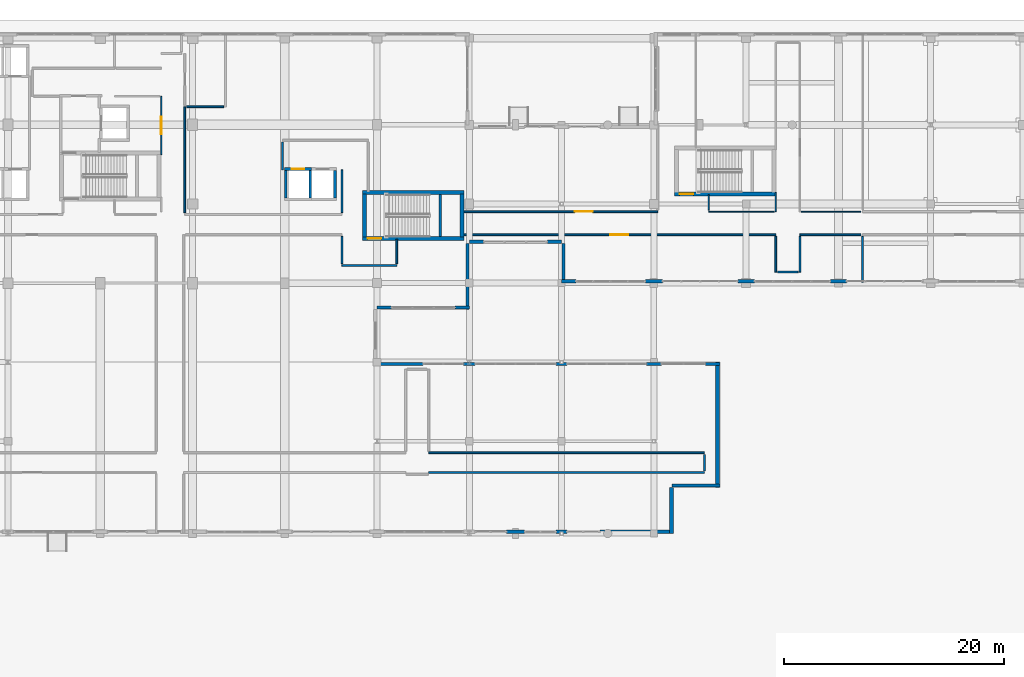
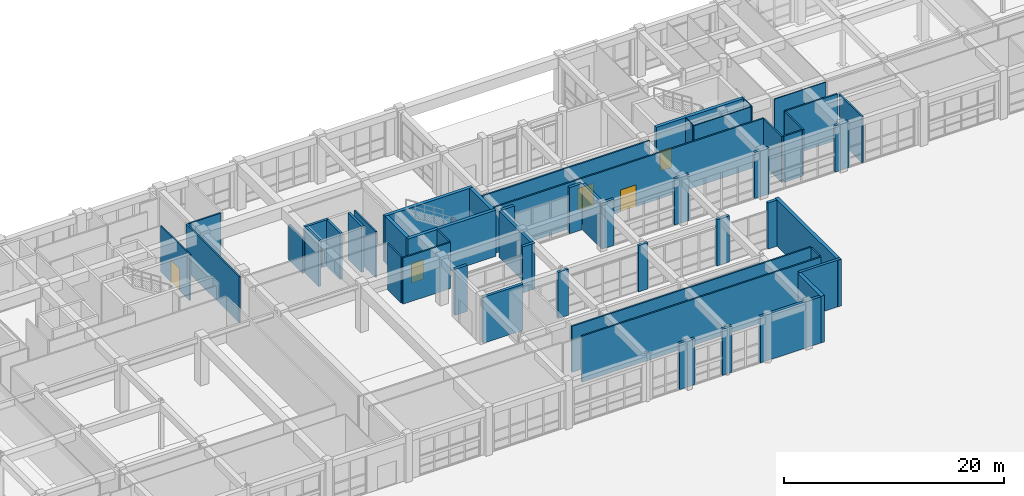
# One storey, part 133 of 148: 53 walls, 6 doors, 6 openings.
"""IFC4 building model written with IfcOpenShell, lengths in metres."""

from ifc_helpers import new_model, si_unit, direction, frame, frame_2d, origin, place, context, subcontext, project, spatial, rectangle, extrude, material, layer, layer_set, type_object, element, fill, save


model = new_model("IFC4")

# Units and contexts
model_context = context("Model", 3, precision=1e-05, world=origin(), true_north=direction((0.0, 1.0)))
body_context = subcontext(model_context, "Body", "Model", "MODEL_VIEW")
ifc_project = project(units=[si_unit("LENGTHUNIT", "METRE"), si_unit("AREAUNIT", "SQUARE_METRE"), si_unit("VOLUMEUNIT", "CUBIC_METRE"), si_unit("PLANEANGLEUNIT", "RADIAN"), si_unit("MASSUNIT", "GRAM", prefix="KILO")], contexts=[model_context])

# Site, building, storey
site_placement = place(None, origin())
site = spatial("IfcSite", under=ifc_project, at=site_placement, CompositionType="ELEMENT")
building_placement = place(site_placement, origin())
building = spatial("IfcBuilding", under=site, at=building_placement, Name="Quendrovan Civic Courthouse", CompositionType="ELEMENT")
storey_placement = place(building_placement, origin())
storey = spatial("IfcBuildingStorey", under=building, at=storey_placement, Name="L01", CompositionType="ELEMENT", Elevation=0.0)

# Wall, opening, door
ifc_material_1 = material(Name="Fire-rated gypsum stud partition")
ifc_layer_1 = layer(ifc_material_1, 0.159912109375, Name="Fire-rated gypsum stud partition")
ifc_layer_set_1 = layer_set([ifc_layer_1], Name="Fire-rated gypsum stud partition")
wall_type_1 = type_object("IfcWallType", Name="WL-COR-160", PredefinedType="PARTITIONING", material=ifc_layer_set_1)
wall_1_placement = place(storey_placement, frame((91.820068359375, 92.0, 0.0), z_axis=(0.0, 0.0, 1.0), x_axis=(1.0, 0.0, 0.0)))
wall_1 = element("IfcWall", 1, at=wall_1_placement, inside=storey, type_object=wall_type_1, Name="L01 Security Screening Partition 0157", PredefinedType="PARTITIONING", context=body_context, shape_type="SweptSolid", body=[
    extrude(rectangle(XDim=28.47998046875, YDim=0.159912109375, at=frame_2d((14.239990234375, 0.0))), origin(), (0.0, 0.0, 1.0), 5.1201171875),
])
opening_1_placement = place(wall_1_placement, frame((13.419921875, 0.0, 0.0)))
opening_1 = element("IfcOpeningElement", 2, at=opening_1_placement, cuts=wall_1, Name="Opening D-L01-034", PredefinedType="OPENING", context=body_context, shape_type="SweptSolid", body=[
    extrude(rectangle(XDim=1.639892578125, YDim=2.419921875, at=frame_2d((0.81982421875, 1.2099609375))), frame((0.0, 0.08984375, 0.0), z_axis=(0.0, -1.0, 0.0), x_axis=(1.0, 0.0, 0.0)), (0.0, 0.0, 1.0), 0.179931640625),
])
ifc_material_2 = material(Name="Bronze-anodised aluminium glazed door", Category="aluminium")
door_type_1 = type_object("IfcDoorType", Name="DR-REG-1640", OperationType="NOTDEFINED", PredefinedType="DOOR", material=ifc_material_2)
door_1_placement = place(opening_1_placement, origin())
door_1 = element("IfcDoor", 3, at=door_1_placement, inside=storey, type_object=door_type_1, Name="L01 Security Screening Door D-L01-034", OperationType="SINGLE_SWING_LEFT", OverallHeight=2.419921875, OverallWidth=1.639892578125, PredefinedType="DOOR", context=body_context, shape_type="SweptSolid", body=[
    extrude(rectangle(XDim=1.639892578125, YDim=2.419921875, at=frame_2d((0.81982421875, 1.2099609375))), frame((0.0, 0.02490234375, 0.0), z_axis=(0.0, -1.0, 0.0), x_axis=(1.0, 0.0, 0.0)), (0.0, 0.0, 1.0), 0.050048828125),
])
fill(opening_1, door_1)

# Walls
for number, where, z_axis, x_axis, name in (
    (4, (88.699951171875, 70.35009765625, 0.0), (0.0, 0.0, 1.0), (1.0, 0.0, 0.0), "L01 Security Screening Partition 0159"),
    (5, (113.800048828125, 72.14990234375, 0.0), (0.0, 0.0, 1.0), (-1.0, 0.0, 0.0), "L01 Security Screening Partition 0160"),
):
    element("IfcWall", number, at=place(storey_placement, frame(where, z_axis=z_axis, x_axis=x_axis)), inside=storey, type_object=wall_type_1, Name=name, PredefinedType="PARTITIONING", context=body_context, shape_type="SweptSolid", body=[
        extrude(rectangle(XDim=25.10009765625, YDim=0.159912109375, at=frame_2d((12.550048828125, 0.0))), origin(), (0.0, 0.0, 1.0), 5.1201171875),
    ])

# Wall, opening, door
wall_2_placement = place(storey_placement, frame((109.550048828125, 94.10009765625, 0.0), z_axis=(0.0, 0.0, 1.0), x_axis=(-1.0, 0.0, 0.0)))
wall_2 = element("IfcWall", 6, at=wall_2_placement, inside=storey, type_object=wall_type_1, Name="L01 Civil Case Registry Partition 0174", PredefinedType="PARTITIONING", context=body_context, shape_type="SweptSolid", body=[
    extrude(rectangle(XDim=17.72998046875, YDim=0.159912109375, at=frame_2d((8.864990234375, 0.0))), origin(), (0.0, 0.0, 1.0), 5.1201171875),
])
opening_2_placement = place(wall_2_placement, frame((5.91748046875, 0.0, 0.0)))
opening_2 = element("IfcOpeningElement", 7, at=opening_2_placement, cuts=wall_2, Name="Opening D-L01-039", PredefinedType="OPENING", context=body_context, shape_type="SweptSolid", body=[
    extrude(rectangle(XDim=1.639892578125, YDim=2.419921875, at=frame_2d((0.81982421875, 1.2099609375))), frame((0.0, 0.08984375, 0.0), z_axis=(0.0, -1.0, 0.0), x_axis=(1.0, 0.0, 0.0)), (0.0, 0.0, 1.0), 0.179931640625),
])
door_2_placement = place(opening_2_placement, origin())
door_2 = element("IfcDoor", 8, at=door_2_placement, inside=storey, type_object=door_type_1, Name="L01 Civil Case Registry Door D-L01-039", OperationType="SINGLE_SWING_RIGHT", OverallHeight=2.419921875, OverallWidth=1.639892578125, PredefinedType="DOOR", context=body_context, shape_type="SweptSolid", body=[
    extrude(rectangle(XDim=1.639892578125, YDim=2.419921875, at=frame_2d((0.81982421875, 1.2099609375))), frame((0.0, 0.02490234375, 0.0), z_axis=(0.0, -1.0, 0.0), x_axis=(1.0, 0.0, 0.0)), (0.0, 0.0, 1.0), 0.050048828125),
])
fill(opening_2, door_2)

# Walls
wall_3_placement = place(storey_placement, frame((66.5, 94.010009765625, 0.0), z_axis=(0.0, 0.0, 1.0), x_axis=(0.0, 1.0, 0.0)))
element("IfcWall", 9, at=wall_3_placement, inside=storey, type_object=wall_type_1, Name="L01 Civil Case Registry Partition 0195", PredefinedType="PARTITIONING", context=body_context, shape_type="SweptSolid", body=[
    extrude(rectangle(XDim=9.639892578125, YDim=0.159912109375, at=frame_2d((4.81982421875, 0.0))), origin(), (0.0, 0.0, 1.0), 5.1201171875),
])
wall_4_placement = place(storey_placement, frame((122.5, 92.0, 0.0), z_axis=(0.0, 0.0, 1.0), x_axis=(1.0, 0.0, 0.0)))
element("IfcWall", 10, at=wall_4_placement, inside=storey, type_object=wall_type_1, Name="L01 Security Screening Partition 0215", PredefinedType="PARTITIONING", context=body_context, shape_type="SweptSolid", body=[
    extrude(rectangle(XDim=5.544921875, YDim=0.159912109375, at=frame_2d((2.7724609375, 0.0))), origin(), (0.0, 0.0, 1.0), 5.1201171875),
])
wall_5_placement = place(storey_placement, frame((80.800048828125, 89.199951171875, 0.0), z_axis=(0.0, 0.0, 1.0), x_axis=(1.0, 0.0, 0.0)))
element("IfcWall", 11, at=wall_5_placement, inside=storey, type_object=wall_type_1, Name="L01 Security Screening Partition 0226", PredefinedType="PARTITIONING", context=body_context, shape_type="SweptSolid", body=[
    extrude(rectangle(XDim=5.0, YDim=0.159912109375, at=frame_2d((2.5, 0.0))), origin(), (0.0, 0.0, 1.0), 5.1201171875),
])
wall_6_placement = place(storey_placement, frame((128.199951171875, 91.844970703125, 0.0), z_axis=(0.0, 0.0, 1.0), x_axis=(0.0, -1.0, 0.0)))
element("IfcWall", 12, at=wall_6_placement, inside=storey, type_object=wall_type_1, Name="L01 Security Screening Partition 0234", PredefinedType="PARTITIONING", context=body_context, shape_type="SweptSolid", body=[
    extrude(rectangle(XDim=4.18505859375, YDim=0.159912109375, at=frame_2d((2.092529296875, 0.0))), origin(), (0.0, 0.0, 1.0), 5.1201171875),
])
wall_7_placement = place(storey_placement, frame((80.800048828125, 97.89990234375, 0.0), z_axis=(0.0, 0.0, 1.0), x_axis=(0.0, -1.0, 0.0)))
element("IfcWall", 13, at=wall_7_placement, inside=storey, type_object=wall_type_1, Name="L01 Civil Case Registry Partition 0240", PredefinedType="PARTITIONING", context=body_context, shape_type="SweptSolid", body=[
    extrude(rectangle(XDim=3.889892578125, YDim=0.159912109375, at=frame_2d((1.94482421875, 0.0))), origin(), (0.0, 0.0, 1.0), 5.1201171875),
])
wall_8_placement = place(storey_placement, frame((70.0400390625, 103.64990234375, 0.0), z_axis=(0.0, 0.0, 1.0), x_axis=(-1.0, 0.0, 0.0)))
element("IfcWall", 14, at=wall_8_placement, inside=storey, type_object=wall_type_1, Name="L01 Fire Command Centre Partition 0242", PredefinedType="PARTITIONING", context=body_context, shape_type="SweptSolid", body=[
    extrude(rectangle(XDim=3.380126953125, YDim=0.159912109375, at=frame_2d((1.68994140625, 0.0))), origin(), (0.0, 0.0, 1.0), 5.1201171875),
])
for number, where, z_axis, x_axis, name in (
    (15, (120.300048828125, 91.840087890625, 0.0), (0.0, 0.0, 1.0), (0.0, -1.0, 0.0), "L01 Security Screening Partition 0246"),
    (16, (122.5, 88.60009765625, 0.0), (0.0, 0.0, 1.0), (0.0, 1.0, 0.0), "L01 Security Screening Partition 0247"),
):
    element("IfcWall", number, at=place(storey_placement, frame(where, z_axis=z_axis, x_axis=x_axis)), inside=storey, type_object=wall_type_1, Name=name, PredefinedType="PARTITIONING", context=body_context, shape_type="SweptSolid", body=[
        extrude(rectangle(XDim=3.239990234375, YDim=0.159912109375, at=frame_2d((1.6201171875, 0.0))), origin(), (0.0, 0.0, 1.0), 5.1201171875),
    ])
wall_9_placement = place(storey_placement, frame((80.800048828125, 91.840087890625, 0.0), z_axis=(0.0, 0.0, 1.0), x_axis=(0.0, -1.0, 0.0)))
element("IfcWall", 17, at=wall_9_placement, inside=storey, type_object=wall_type_1, Name="L01 Security Screening Partition 0260", PredefinedType="PARTITIONING", context=body_context, shape_type="SweptSolid", body=[
    extrude(rectangle(XDim=2.47998046875, YDim=0.159912109375, at=frame_2d((1.239990234375, 0.0))), origin(), (0.0, 0.0, 1.0), 5.1201171875),
])
wall_10_placement = place(storey_placement, frame((75.39990234375, 100.43994140625, 0.0), z_axis=(0.0, 0.0, 1.0), x_axis=(0.0, -1.0, 0.0)))
element("IfcWall", 18, at=wall_10_placement, inside=storey, type_object=wall_type_1, Name="L01 Civil Case Registry Partition 0263", PredefinedType="PARTITIONING", context=body_context, shape_type="SweptSolid", body=[
    extrude(rectangle(XDim=2.5400390625, YDim=0.159912109375, at=frame_2d((1.27001953125, 0.0))), origin(), (0.0, 0.0, 1.0), 3.909912109375),
])
wall_11_placement = place(storey_placement, frame((85.800048828125, 89.360107421875, 0.0), z_axis=(0.0, 0.0, 1.0), x_axis=(0.0, 1.0, 0.0)))
element("IfcWall", 19, at=wall_11_placement, inside=storey, type_object=wall_type_1, Name="L01 Security Screening Partition 0267", PredefinedType="PARTITIONING", context=body_context, shape_type="SweptSolid", body=[
    extrude(rectangle(XDim=2.219970703125, YDim=0.159912109375, at=frame_2d((1.10986328125, 0.0))), origin(), (0.0, 0.0, 1.0), 5.1201171875),
])
wall_12_placement = place(storey_placement, frame((120.4599609375, 88.60009765625, 0.0), z_axis=(0.0, 0.0, 1.0), x_axis=(1.0, 0.0, 0.0)))
element("IfcWall", 20, at=wall_12_placement, inside=storey, type_object=wall_type_1, Name="L01 Security Screening Partition 0268", PredefinedType="PARTITIONING", context=body_context, shape_type="SweptSolid", body=[
    extrude(rectangle(XDim=1.880126953125, YDim=0.159912109375, at=frame_2d((0.93994140625, 0.0))), origin(), (0.0, 0.0, 1.0), 5.1201171875),
])
wall_13_placement = place(storey_placement, frame((113.800048828125, 70.510009765625, 0.0), z_axis=(0.0, 0.0, 1.0), x_axis=(0.0, 1.0, 0.0)))
element("IfcWall", 21, at=wall_13_placement, inside=storey, type_object=wall_type_1, Name="L01 Security Screening Partition 0279", PredefinedType="PARTITIONING", context=body_context, shape_type="SweptSolid", body=[
    extrude(rectangle(XDim=1.47998046875, YDim=0.159912109375, at=frame_2d((0.739990234375, 0.0))), origin(), (0.0, 0.0, 1.0), 5.1201171875),
])

# Wall, opening, door
ifc_material_3 = material(Name="Concrete C45/55", Category="concrete")
ifc_layer_2 = layer(ifc_material_3, 0.35009765625, Name="Concrete C45/55")
ifc_layer_set_2 = layer_set([ifc_layer_2], Name="Concrete C45/55")
wall_type_2 = type_object("IfcWallType", Name="WL-CORE-350", PredefinedType="SHEAR", material=ifc_layer_set_2)
wall_14_placement = place(storey_placement, frame((82.68994140625, 91.6650390625, 0.0), z_axis=(0.0, 0.0, 1.0), x_axis=(1.0, 0.0, 0.0)))
wall_14 = element("IfcWall", 22, at=wall_14_placement, inside=storey, type_object=wall_type_2, Name="L01 Core Shear Wall ST3-S", PredefinedType="SHEAR", context=body_context, shape_type="SweptSolid", body=[
    extrude(rectangle(XDim=9.219970703125, YDim=0.35009765625, at=frame_2d((4.60986328125, 0.0))), origin(), (0.0, 0.0, 1.0), 5.1201171875),
])
opening_3_placement = place(wall_14_placement, frame((0.449951171875, 0.0, 0.0)))
opening_3 = element("IfcOpeningElement", 23, at=opening_3_placement, cuts=wall_14, Name="Opening DS-ST3-L01", PredefinedType="OPENING", context=body_context, shape_type="SweptSolid", body=[
    extrude(rectangle(XDim=1.25, YDim=2.199951171875, at=frame_2d((0.625, 1.10009765625))), frame((0.0, 0.18505859375, 0.0), z_axis=(0.0, -1.0, 0.0), x_axis=(1.0, 0.0, 0.0)), (0.0, 0.0, 1.0), 0.3701171875),
])
ifc_material_4 = material(Name="Painted galvanized hollow-metal steel", Category="steel")
door_type_2 = type_object("IfcDoorType", Name="DR-STAIR-1250", OperationType="NOTDEFINED", PredefinedType="DOOR", material=ifc_material_4)
door_3_placement = place(opening_3_placement, origin())
door_3 = element("IfcDoor", 24, at=door_3_placement, inside=storey, type_object=door_type_2, Name="L01 Exit Stair ST3 Fire Door", OperationType="SINGLE_SWING_LEFT", OverallHeight=2.199951171875, OverallWidth=1.25, PredefinedType="DOOR", context=body_context, shape_type="SweptSolid", body=[
    extrude(rectangle(XDim=1.25, YDim=2.199951171875, at=frame_2d((0.625, 1.10009765625))), frame((0.0, 0.02490234375, 0.0), z_axis=(0.0, -1.0, 0.0), x_axis=(1.0, 0.0, 0.0)), (0.0, 0.0, 1.0), 0.050048828125),
])
fill(opening_3, door_3)

# Walls
wall_15_placement = place(storey_placement, frame((91.909912109375, 95.8349609375, 0.0), z_axis=(0.0, 0.0, 1.0), x_axis=(-1.0, 0.0, 0.0)))
element("IfcWall", 25, at=wall_15_placement, inside=storey, type_object=wall_type_2, Name="L01 Core Shear Wall ST3-N", PredefinedType="SHEAR", context=body_context, shape_type="SweptSolid", body=[
    extrude(rectangle(XDim=9.219970703125, YDim=0.35009765625, at=frame_2d((4.60986328125, 0.0))), origin(), (0.0, 0.0, 1.0), 5.1201171875),
])
for number, where, z_axis, x_axis, name in (
    (26, (82.864990234375, 91.800048828125, 0.0), (0.0, 0.0, 1.0), (0.0, 1.0, 0.0), "L01 Core Shear Wall ST3-W"),
    (27, (91.735107421875, 95.699951171875, 0.0), (0.0, 0.0, 1.0), (0.0, -1.0, 0.0), "L01 Core Shear Wall ST3-E"),
):
    element("IfcWall", number, at=place(storey_placement, frame(where, z_axis=z_axis, x_axis=x_axis)), inside=storey, type_object=wall_type_2, Name=name, PredefinedType="SHEAR", context=body_context, shape_type="SweptSolid", body=[
        extrude(rectangle(XDim=3.89990234375, YDim=0.35009765625, at=frame_2d((1.949951171875, 0.0))), origin(), (0.0, 0.0, 1.0), 5.1201171875),
    ])

# Wall, opening, door
wall_16_placement = place(storey_placement, frame((111.090087890625, 95.715087890625, 0.0), z_axis=(0.0, 0.0, 1.0), x_axis=(1.0, 0.0, 0.0)))
wall_16 = element("IfcWall", 28, at=wall_16_placement, inside=storey, type_object=wall_type_2, Name="L01 Core Shear Wall ST6-S", PredefinedType="SHEAR", context=body_context, shape_type="SweptSolid", body=[
    extrude(rectangle(XDim=9.219970703125, YDim=0.35009765625, at=frame_2d((4.60986328125, 0.0))), origin(), (0.0, 0.0, 1.0), 5.1201171875),
])
opening_4_placement = place(wall_16_placement, frame((0.449951171875, 0.0, 0.0)))
opening_4 = element("IfcOpeningElement", 29, at=opening_4_placement, cuts=wall_16, Name="Opening DS-ST6-L01", PredefinedType="OPENING", context=body_context, shape_type="SweptSolid", body=[
    extrude(rectangle(XDim=1.25, YDim=2.199951171875, at=frame_2d((0.625, 1.10009765625))), frame((0.0, 0.18505859375, 0.0), z_axis=(0.0, -1.0, 0.0), x_axis=(1.0, 0.0, 0.0)), (0.0, 0.0, 1.0), 0.3701171875),
])
door_4_placement = place(opening_4_placement, origin())
door_4 = element("IfcDoor", 30, at=door_4_placement, inside=storey, type_object=door_type_2, Name="L01 Exit Stair ST6 Fire Door", OperationType="SINGLE_SWING_LEFT", OverallHeight=2.199951171875, OverallWidth=1.25, PredefinedType="DOOR", context=body_context, shape_type="SweptSolid", body=[
    extrude(rectangle(XDim=1.25, YDim=2.199951171875, at=frame_2d((0.625, 1.10009765625))), frame((0.0, 0.02490234375, 0.0), z_axis=(0.0, -1.0, 0.0), x_axis=(1.0, 0.0, 0.0)), (0.0, 0.0, 1.0), 0.050048828125),
])
fill(opening_4, door_4)

# Walls
ifc_material_5 = material(Name="Precast concrete C45/55", Category="concrete")
ifc_layer_3 = layer(ifc_material_5, 0.2900390625, Name="Precast concrete C45/55")
ifc_layer_set_3 = layer_set([ifc_layer_3], Name="Precast concrete C45/55")
wall_type_3 = type_object("IfcWallType", Name="WL-EXT-PC290", PredefinedType="SOLIDWALL", material=ifc_layer_set_3)
wall_17_placement = place(storey_placement, frame((126.72509765625, 87.764892578125, 0.0), z_axis=(0.0, 0.0, 1.0), x_axis=(-1.0, 0.0, 0.0)))
element("IfcWall", 31, at=wall_17_placement, inside=storey, type_object=wall_type_3, Name="L01 Exterior Pier Wall 131", PredefinedType="SOLIDWALL", context=body_context, shape_type="SweptSolid", body=[
    extrude(rectangle(XDim=1.4501953125, YDim=0.2900390625, at=frame_2d((0.72509765625, 0.0))), origin(), (0.0, 0.0, 1.0), 5.1201171875),
])
wall_18_placement = place(storey_placement, frame((118.35009765625, 87.764892578125, 0.0), z_axis=(0.0, 0.0, 1.0), x_axis=(-1.0, 0.0, 0.0)))
element("IfcWall", 32, at=wall_18_placement, inside=storey, type_object=wall_type_3, Name="L01 Exterior Pier Wall 132", PredefinedType="SOLIDWALL", context=body_context, shape_type="SweptSolid", body=[
    extrude(rectangle(XDim=1.5, YDim=0.2900390625, at=frame_2d((0.75, 0.0))), origin(), (0.0, 0.0, 1.0), 5.1201171875),
])
wall_19_placement = place(storey_placement, frame((109.97509765625, 87.764892578125, 0.0), z_axis=(0.0, 0.0, 1.0), x_axis=(-1.0, 0.0, 0.0)))
element("IfcWall", 33, at=wall_19_placement, inside=storey, type_object=wall_type_3, Name="L01 Exterior Pier Wall 133", PredefinedType="SOLIDWALL", context=body_context, shape_type="SweptSolid", body=[
    extrude(rectangle(XDim=1.550048828125, YDim=0.2900390625, at=frame_2d((0.77490234375, 0.0))), origin(), (0.0, 0.0, 1.0), 5.1201171875),
])
wall_20_placement = place(storey_placement, frame((102.10009765625, 87.764892578125, 0.0), z_axis=(0.0, 0.0, 1.0), x_axis=(-1.0, 0.0, 0.0)))
element("IfcWall", 34, at=wall_20_placement, inside=storey, type_object=wall_type_3, Name="L01 Exterior Pier Wall 134", PredefinedType="SOLIDWALL", context=body_context, shape_type="SweptSolid", body=[
    extrude(rectangle(XDim=1.300048828125, YDim=0.2900390625, at=frame_2d((0.64990234375, 0.0))), origin(), (0.0, 0.0, 1.0), 5.1201171875),
])
wall_21_placement = place(storey_placement, frame((100.965087890625, 87.60009765625, 0.0), z_axis=(0.0, 0.0, 1.0), x_axis=(0.0, 1.0, 0.0)))
element("IfcWall", 35, at=wall_21_placement, inside=storey, type_object=wall_type_3, Name="L01 Exterior Civic Portal Wall 135", PredefinedType="SOLIDWALL", context=body_context, shape_type="SweptSolid", body=[
    extrude(rectangle(XDim=3.599853515625, YDim=0.2900390625, at=frame_2d((1.7998046875, 0.0))), origin(), (0.0, 0.0, 1.0), 5.1201171875),
])
for number, where, z_axis, x_axis, name in (
    (36, (100.800048828125, 91.364990234375, 0.0), (0.0, 0.0, 1.0), (-1.0, 0.0, 0.0), "L01 Exterior Pier Wall 136"),
    (37, (93.699951171875, 91.364990234375, 0.0), (0.0, 0.0, 1.0), (-1.0, 0.0, 0.0), "L01 Exterior Pier Wall 137"),
):
    element("IfcWall", number, at=place(storey_placement, frame(where, z_axis=z_axis, x_axis=x_axis)), inside=storey, type_object=wall_type_3, Name=name, PredefinedType="SOLIDWALL", context=body_context, shape_type="SweptSolid", body=[
        extrude(rectangle(XDim=1.300048828125, YDim=0.2900390625, at=frame_2d((0.64990234375, 0.0))), origin(), (0.0, 0.0, 1.0), 5.1201171875),
    ])
wall_22_placement = place(storey_placement, frame((92.235107421875, 91.199951171875, 0.0), z_axis=(0.0, 0.0, 1.0), x_axis=(0.0, -1.0, 0.0)))
element("IfcWall", 38, at=wall_22_placement, inside=storey, type_object=wall_type_3, Name="L01 Exterior Civic Portal Wall 138", PredefinedType="SOLIDWALL", context=body_context, shape_type="SweptSolid", body=[
    extrude(rectangle(XDim=6.0, YDim=0.2900390625, at=frame_2d((3.0, 0.0))), origin(), (0.0, 0.0, 1.0), 5.1201171875),
])
wall_23_placement = place(storey_placement, frame((92.39990234375, 85.364990234375, 0.0), z_axis=(0.0, 0.0, 1.0), x_axis=(-1.0, 0.0, 0.0)))
element("IfcWall", 39, at=wall_23_placement, inside=storey, type_object=wall_type_3, Name="L01 Exterior Pier Wall 139", PredefinedType="SOLIDWALL", context=body_context, shape_type="SweptSolid", body=[
    extrude(rectangle(XDim=1.2998046875, YDim=0.2900390625, at=frame_2d((0.64990234375, 0.0))), origin(), (0.0, 0.0, 1.0), 5.1201171875),
])
wall_24_placement = place(storey_placement, frame((85.300048828125, 85.364990234375, 0.0), z_axis=(0.0, 0.0, 1.0), x_axis=(-1.0, 0.0, 0.0)))
element("IfcWall", 40, at=wall_24_placement, inside=storey, type_object=wall_type_3, Name="L01 Exterior Pier Wall 140", PredefinedType="SOLIDWALL", context=body_context, shape_type="SweptSolid", body=[
    extrude(rectangle(XDim=1.300048828125, YDim=0.2900390625, at=frame_2d((0.64990234375, 0.0))), origin(), (0.0, 0.0, 1.0), 5.1201171875),
])
wall_25_placement = place(storey_placement, frame((84.0, 80.235107421875, 0.0), z_axis=(0.0, 0.0, 1.0), x_axis=(1.0, 0.0, 0.0)))
element("IfcWall", 41, at=wall_25_placement, inside=storey, type_object=wall_type_3, Name="L01 Exterior Pier Wall 142", PredefinedType="SOLIDWALL", context=body_context, shape_type="SweptSolid", body=[
    extrude(rectangle(XDim=4.199951171875, YDim=0.2900390625, at=frame_2d((2.10009765625, 0.0))), origin(), (0.0, 0.0, 1.0), 5.1201171875),
])
wall_26_placement = place(storey_placement, frame((91.863037109375, 80.235107421875, 0.0), z_axis=(0.0, 0.0, 1.0), x_axis=(1.0, 0.0, 0.0)))
element("IfcWall", 42, at=wall_26_placement, inside=storey, type_object=wall_type_3, Name="L01 Exterior Pier Wall 143", PredefinedType="SOLIDWALL", context=body_context, shape_type="SweptSolid", body=[
    extrude(rectangle(XDim=1.073974609375, YDim=0.2900390625, at=frame_2d((0.537109375, 0.0))), origin(), (0.0, 0.0, 1.0), 5.1201171875),
])
wall_27_placement = place(storey_placement, frame((100.300048828125, 80.235107421875, 0.0), z_axis=(0.0, 0.0, 1.0), x_axis=(1.0, 0.0, 0.0)))
element("IfcWall", 43, at=wall_27_placement, inside=storey, type_object=wall_type_3, Name="L01 Exterior Pier Wall 144", PredefinedType="SOLIDWALL", context=body_context, shape_type="SweptSolid", body=[
    extrude(rectangle(XDim=1.0, YDim=0.2900390625, at=frame_2d((0.5, 0.0))), origin(), (0.0, 0.0, 1.0), 5.1201171875),
])
wall_28_placement = place(storey_placement, frame((108.52490234375, 80.235107421875, 0.0), z_axis=(0.0, 0.0, 1.0), x_axis=(1.0, 0.0, 0.0)))
element("IfcWall", 44, at=wall_28_placement, inside=storey, type_object=wall_type_3, Name="L01 Exterior Pier Wall 145", PredefinedType="SOLIDWALL", context=body_context, shape_type="SweptSolid", body=[
    extrude(rectangle(XDim=1.35009765625, YDim=0.2900390625, at=frame_2d((0.675048828125, 0.0))), origin(), (0.0, 0.0, 1.0), 5.1201171875),
])
wall_29_placement = place(storey_placement, frame((113.89990234375, 80.235107421875, 0.0), z_axis=(0.0, 0.0, 1.0), x_axis=(1.0, 0.0, 0.0)))
element("IfcWall", 45, at=wall_29_placement, inside=storey, type_object=wall_type_3, Name="L01 Exterior Pier Wall 146", PredefinedType="SOLIDWALL", context=body_context, shape_type="SweptSolid", body=[
    extrude(rectangle(XDim=1.300048828125, YDim=0.2900390625, at=frame_2d((0.64990234375, 0.0))), origin(), (0.0, 0.0, 1.0), 5.1201171875),
])
wall_30_placement = place(storey_placement, frame((115.199951171875, 69.1650390625, 0.0), z_axis=(0.0, 0.0, 1.0), x_axis=(-1.0, 0.0, 0.0)))
element("IfcWall", 46, at=wall_30_placement, inside=storey, type_object=wall_type_3, Name="L01 Exterior Civic Portal Wall 148", PredefinedType="SOLIDWALL", context=body_context, shape_type="SweptSolid", body=[
    extrude(rectangle(XDim=4.368408203125, YDim=0.2900390625, at=frame_2d((2.18408203125, 0.0))), origin(), (0.0, 0.0, 1.0), 5.179931640625),
])
wall_31_placement = place(storey_placement, frame((111.0, 64.965087890625, 0.0), z_axis=(0.0, 0.0, 1.0), x_axis=(-1.0, 0.0, 0.0)))
element("IfcWall", 47, at=wall_31_placement, inside=storey, type_object=wall_type_3, Name="L01 Exterior Pier Wall 150", PredefinedType="SOLIDWALL", context=body_context, shape_type="SweptSolid", body=[
    extrude(rectangle(XDim=6.72509765625, YDim=0.2900390625, at=frame_2d((3.362548828125, 0.0))), origin(), (0.0, 0.0, 1.0), 5.1201171875),
])
wall_32_placement = place(storey_placement, frame((101.300048828125, 64.965087890625, 0.0), z_axis=(0.0, 0.0, 1.0), x_axis=(-1.0, 0.0, 0.0)))
element("IfcWall", 48, at=wall_32_placement, inside=storey, type_object=wall_type_3, Name="L01 Exterior Pier Wall 151", PredefinedType="SOLIDWALL", context=body_context, shape_type="SweptSolid", body=[
    extrude(rectangle(XDim=1.0, YDim=0.2900390625, at=frame_2d((0.5, 0.0))), origin(), (0.0, 0.0, 1.0), 5.1201171875),
])
wall_33_placement = place(storey_placement, frame((97.425048828125, 64.965087890625, 0.0), z_axis=(0.0, 0.0, 1.0), x_axis=(-1.0, 0.0, 0.0)))
element("IfcWall", 49, at=wall_33_placement, inside=storey, type_object=wall_type_3, Name="L01 Exterior Pier Wall 152", PredefinedType="SOLIDWALL", context=body_context, shape_type="SweptSolid", body=[
    extrude(rectangle(XDim=1.650146484375, YDim=0.2900390625, at=frame_2d((0.8251953125, 0.0))), origin(), (0.0, 0.0, 1.0), 5.1201171875),
])
ifc_material_6 = material(Name="Lightweight gypsum partition")
ifc_layer_4 = layer(ifc_material_6, 0.10009765625, Name="Lightweight gypsum partition")
ifc_layer_set_4 = layer_set([ifc_layer_4], Name="Lightweight gypsum partition")
wall_type_4 = type_object("IfcWallType", Name="WL-INT-100", PredefinedType="PARTITIONING", material=ifc_layer_set_4)
wall_34_placement = place(storey_placement, frame((120.300048828125, 95.85009765625, 0.0), z_axis=(0.0, 0.0, 1.0), x_axis=(0.0, -1.0, 0.0)))
element("IfcWall", 50, at=wall_34_placement, inside=storey, type_object=wall_type_4, Name="L01 Community Legal Aid Room Partition 0181", PredefinedType="PARTITIONING", context=body_context, shape_type="SweptSolid", body=[
    extrude(rectangle(XDim=1.75, YDim=0.10009765625, at=frame_2d((0.875, 0.0))), origin(), (0.0, 0.0, 1.0), 5.1201171875),
])
wall_35_placement = place(storey_placement, frame((120.169921875, 94.10009765625, 0.0), z_axis=(0.0, 0.0, 1.0), x_axis=(-1.0, 0.0, 0.0)))
element("IfcWall", 51, at=wall_35_placement, inside=storey, type_object=wall_type_4, Name="L01 Community Legal Aid Room Partition 0213", PredefinedType="PARTITIONING", context=body_context, shape_type="SweptSolid", body=[
    extrude(rectangle(XDim=5.969970703125, YDim=0.10009765625, at=frame_2d((2.98486328125, 0.0))), origin(), (0.0, 0.0, 1.0), 5.1201171875),
])
wall_36_placement = place(storey_placement, frame((128.030029296875, 94.10009765625, 0.0), z_axis=(0.0, 0.0, 1.0), x_axis=(-1.0, 0.0, 0.0)))
element("IfcWall", 52, at=wall_36_placement, inside=storey, type_object=wall_type_4, Name="L01 Community Legal Aid Room Partition 0216", PredefinedType="PARTITIONING", context=body_context, shape_type="SweptSolid", body=[
    extrude(rectangle(XDim=5.400146484375, YDim=0.10009765625, at=frame_2d((2.7001953125, 0.0))), origin(), (0.0, 0.0, 1.0), 5.1201171875),
])
wall_37_placement = place(storey_placement, frame((114.199951171875, 94.22998046875, 0.0), z_axis=(0.0, 0.0, 1.0), x_axis=(0.0, 1.0, 0.0)))
element("IfcWall", 53, at=wall_37_placement, inside=storey, type_object=wall_type_4, Name="L01 Community Legal Aid Room Partition 0283", PredefinedType="PARTITIONING", context=body_context, shape_type="SweptSolid", body=[
    extrude(rectangle(XDim=1.39990234375, YDim=0.10009765625, at=frame_2d((0.699951171875, 0.0))), origin(), (0.0, 0.0, 1.0), 5.1201171875),
])

# Wall, opening, door
ifc_material_7 = material(Name="Acoustic glazed-head stud partition")
ifc_layer_5 = layer(ifc_material_7, 0.1201171875, Name="Acoustic glazed-head stud partition")
ifc_layer_set_5 = layer_set([ifc_layer_5], Name="Acoustic glazed-head stud partition")
wall_type_5 = type_object("IfcWallType", Name="WL-LIB-120", PredefinedType="PARTITIONING", material=ifc_layer_set_5)
wall_38_placement = place(storey_placement, frame((64.35009765625, 104.60009765625, 0.0), z_axis=(0.0, 0.0, 1.0), x_axis=(0.0, -1.0, 0.0)))
wall_38 = element("IfcWall", 54, at=wall_38_placement, inside=storey, type_object=wall_type_5, Name="L01 Law Library Reading Room Partition 0190", PredefinedType="PARTITIONING", context=body_context, shape_type="SweptSolid", body=[
    extrude(rectangle(XDim=5.300048828125, YDim=0.1201171875, at=frame_2d((2.64990234375, 0.0))), origin(), (0.0, 0.0, 1.0), 5.1201171875),
])
opening_5_placement = place(wall_38_placement, frame((1.8701171875, 0.0, 0.0)))
opening_5 = element("IfcOpeningElement", 55, at=opening_5_placement, cuts=wall_38, Name="Opening D-L01-040", PredefinedType="OPENING", context=body_context, shape_type="SweptSolid", body=[
    extrude(rectangle(XDim=1.56005859375, YDim=2.43994140625, at=frame_2d((0.780029296875, 1.219970703125))), frame((0.0, 0.070068359375, 0.0), z_axis=(0.0, -1.0, 0.0), x_axis=(1.0, 0.0, 0.0)), (0.0, 0.0, 1.0), 0.14013671875),
])
ifc_material_8 = material(Name="Bronze-anodised aluminium acoustic glass door", Category="aluminium")
door_type_3 = type_object("IfcDoorType", Name="DR-LIB-1560", OperationType="NOTDEFINED", PredefinedType="DOOR", material=ifc_material_8)
door_5_placement = place(opening_5_placement, origin())
door_5 = element("IfcDoor", 56, at=door_5_placement, inside=storey, type_object=door_type_3, Name="L01 Law Library Reading Room Door D-L01-040", OperationType="SINGLE_SWING_LEFT", OverallHeight=2.43994140625, OverallWidth=1.56005859375, PredefinedType="DOOR", context=body_context, shape_type="SweptSolid", body=[
    extrude(rectangle(XDim=1.56005859375, YDim=2.43994140625, at=frame_2d((0.780029296875, 1.219970703125))), frame((0.0, 0.02490234375, 0.0), z_axis=(0.0, -1.0, 0.0), x_axis=(1.0, 0.0, 0.0)), (0.0, 0.0, 1.0), 0.050048828125),
])
fill(opening_5, door_5)

# Walls
ifc_material_9 = material(Name="Concrete C40/50", Category="concrete")
ifc_layer_6 = layer(ifc_material_9, 0.360107421875, Name="Concrete C40/50")
ifc_layer_set_6 = layer_set([ifc_layer_6], Name="Concrete C40/50")
wall_type_6 = type_object("IfcWallType", Name="WL-PARTY-360", PredefinedType="SOLIDWALL", material=ifc_layer_set_6)
wall_39_placement = place(storey_placement, frame((115.0, 80.39990234375, 0.0), z_axis=(0.0, 0.0, 1.0), x_axis=(0.0, -1.0, 0.0)))
element("IfcWall", 57, at=wall_39_placement, inside=storey, type_object=wall_type_6, Name="L01 Fire-Rated Boundary Party Wall 147", PredefinedType="SOLIDWALL", context=body_context, shape_type="SweptSolid", body=[
    extrude(rectangle(XDim=11.39990234375, YDim=0.360107421875, at=frame_2d((5.699951171875, 0.0))), origin(), (0.0, 0.0, 1.0), 5.179931640625),
])
wall_40_placement = place(storey_placement, frame((110.800048828125, 69.0, 0.0), z_axis=(0.0, 0.0, 1.0), x_axis=(0.0, -1.0, 0.0)))
element("IfcWall", 58, at=wall_40_placement, inside=storey, type_object=wall_type_6, Name="L01 Fire-Rated Boundary Party Wall 149", PredefinedType="SOLIDWALL", context=body_context, shape_type="SweptSolid", body=[
    extrude(rectangle(XDim=4.199951171875, YDim=0.360107421875, at=frame_2d((2.10009765625, 0.0))), origin(), (0.0, 0.0, 1.0), 5.179931640625),
])
ifc_layer_7 = layer(ifc_material_3, 0.25, Name="Concrete C45/55")
ifc_layer_set_7 = layer_set([ifc_layer_7], Name="Concrete C45/55")
wall_type_7 = type_object("IfcWallType", Name="WL-SHAFT-250", PredefinedType="SHEAR", material=ifc_layer_set_7)
wall_41_placement = place(storey_placement, frame((89.75, 91.85009765625, 0.0), z_axis=(0.0, 0.0, 1.0), x_axis=(0.0, 1.0, 0.0)))
element("IfcWall", 59, at=wall_41_placement, inside=storey, type_object=wall_type_7, Name="L01 Stair ST3 Mid-Landing Bearing Wall", PredefinedType="SHEAR", context=body_context, shape_type="SweptSolid", body=[
    extrude(rectangle(XDim=3.7998046875, YDim=0.25, at=frame_2d((1.89990234375, 0.0))), origin(), (0.0, 0.0, 1.0), 2.52001953125),
])

# Wall, opening, door
wall_42_placement = place(storey_placement, frame((78.050048828125, 97.97509765625, 0.0), z_axis=(0.0, 0.0, 1.0), x_axis=(-1.0, 0.0, 0.0)))
wall_42 = element("IfcWall", 60, at=wall_42_placement, inside=storey, type_object=wall_type_7, Name="L01 Lift Hoistway Wall PL1 +Y", PredefinedType="SHEAR", context=body_context, shape_type="SweptSolid", body=[
    extrude(rectangle(XDim=2.5, YDim=0.25, at=frame_2d((1.25, 0.0))), origin(), (0.0, 0.0, 1.0), 5.1201171875),
])
opening_6_placement = place(wall_42_placement, frame((0.699951171875, 0.0, 0.0)))
opening_6 = element("IfcOpeningElement", 61, at=opening_6_placement, cuts=wall_42, Name="Opening LD-PL1-L01", PredefinedType="OPENING", context=body_context, shape_type="SweptSolid", body=[
    extrude(rectangle(XDim=1.10009765625, YDim=2.199951171875, at=frame_2d((0.550048828125, 1.10009765625))), frame((0.0, 0.135009765625, 0.0), z_axis=(0.0, -1.0, 0.0), x_axis=(1.0, 0.0, 0.0)), (0.0, 0.0, 1.0), 0.27001953125),
])
ifc_material_10 = material(Name="Brushed bronze-anodised stainless steel", Category="steel")
door_type_4 = type_object("IfcDoorType", Name="DR-LIFT-LD-PL", OperationType="NOTDEFINED", PredefinedType="DOOR", material=ifc_material_10)
door_6_placement = place(opening_6_placement, origin())
door_6 = element("IfcDoor", 62, at=door_6_placement, inside=storey, type_object=door_type_4, Name="L01 Lift PL1 Sliding Landing Door", OperationType="SLIDING_TO_RIGHT", OverallHeight=2.199951171875, OverallWidth=1.10009765625, PredefinedType="DOOR", context=body_context, shape_type="SweptSolid", body=[
    extrude(rectangle(XDim=1.10009765625, YDim=2.199951171875, at=frame_2d((0.550048828125, 1.10009765625))), frame((0.0, 0.02490234375, 0.0), z_axis=(0.0, -1.0, 0.0), x_axis=(1.0, 0.0, 0.0)), (0.0, 0.0, 1.0), 0.050048828125),
])
fill(opening_6, door_6)

# Walls
for number, where, z_axis, x_axis, name in (
    (63, (75.675048828125, 95.35009765625, 0.0), (0.0, 0.0, 1.0), (0.0, 1.0, 0.0), "L01 Lift Hoistway Wall PL1 -X"),
    (64, (77.925048828125, 97.85009765625, 0.0), (0.0, 0.0, 1.0), (0.0, -1.0, 0.0), "L01 Lift Hoistway Wall PL1 +X"),
    (65, (80.175048828125, 97.85009765625, 0.0), (0.0, 0.0, 1.0), (0.0, -1.0, 0.0), "L01 Lift Hoistway Wall PL2 +X"),
):
    element("IfcWall", number, at=place(storey_placement, frame(where, z_axis=z_axis, x_axis=x_axis)), inside=storey, type_object=wall_type_7, Name=name, PredefinedType="SHEAR", context=body_context, shape_type="SweptSolid", body=[
        extrude(rectangle(XDim=2.5, YDim=0.25, at=frame_2d((1.25, 0.0))), origin(), (0.0, 0.0, 1.0), 5.1201171875),
    ])

save(model, "model.ifc")
